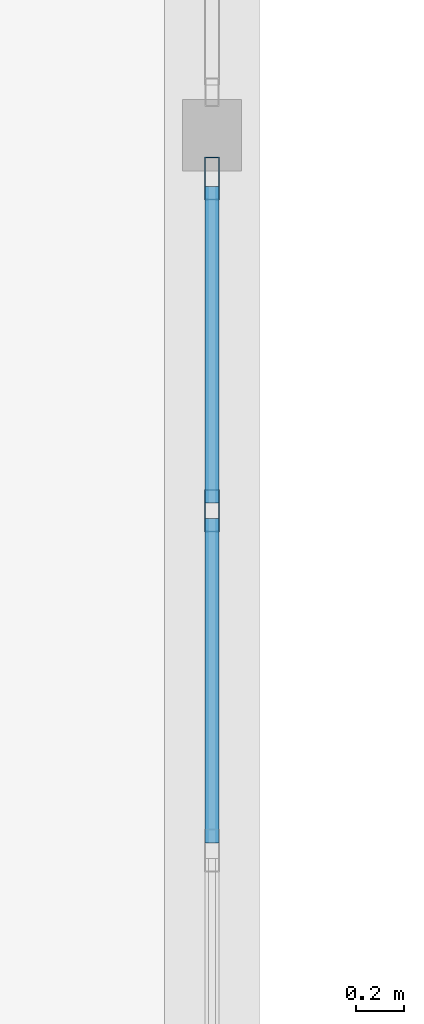
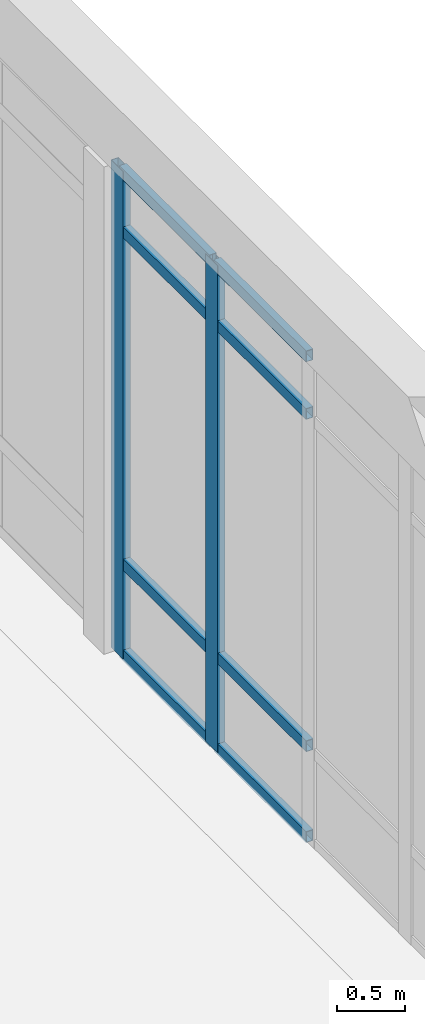
# One storey, part 70 of 138: 10 members, 1 element without a shape of its own.
"""IFC4 building model written with IfcOpenShell, lengths in metres."""

from ifc_helpers import new_model, si_unit, direction, frame, origin, origin_2d, place, context, subcontext, project, spatial, hollow_rectangle, extrude, material, layer, layer_set, material_profile, profile_set, type_object, element, aggregate, save


model = new_model("IFC4")

# Units and contexts
model_context = context("Model", 3, precision=1e-05, world=origin(), true_north=direction((0.0, 1.0)))
body_context = subcontext(model_context, "Body", "Model", "MODEL_VIEW")
ifc_project = project(units=[si_unit("LENGTHUNIT", "METRE"), si_unit("AREAUNIT", "SQUARE_METRE"), si_unit("VOLUMEUNIT", "CUBIC_METRE"), si_unit("PLANEANGLEUNIT", "RADIAN"), si_unit("MASSUNIT", "GRAM", prefix="KILO")], contexts=[model_context])

# Site, building, storey
site_placement = place(None, origin())
site = spatial("IfcSite", under=ifc_project, at=site_placement, CompositionType="ELEMENT")
building_placement = place(site_placement, origin())
building = spatial("IfcBuilding", under=site, at=building_placement, Name="Fikremerkos Civic Library", CompositionType="ELEMENT")
storey_placement = place(building_placement, origin())
storey = spatial("IfcBuildingStorey", under=building, at=storey_placement, Name="L00", CompositionType="ELEMENT", Elevation=0.0)

# Curtain wall, members
ifc_material = material(Name="Anodized aluminium Frame", Category="aluminium")
ifc_layer = layer(ifc_material, 0.159912109375, Name="Anodized aluminium Frame")
ifc_layer_set = layer_set([ifc_layer], Name="Anodized aluminium Frame")
curtain_wall_type = type_object("IfcCurtainWallType", Name="Unitised curtain wall CW-13 3700x3200", PredefinedType="USERDEFINED", material=ifc_layer_set)
curtain_wall_placement = place(storey_placement, origin())
curtain_wall = element("IfcCurtainWall", 1, at=curtain_wall_placement, inside=storey, type_object=curtain_wall_type, Name="Unitised curtain wall CW-13 L00 #67", ObjectType="UNITISED CURTAIN WALL", PredefinedType="USERDEFINED")
ifc_material_profile_1 = material_profile(ifc_material, hollow_rectangle(XDim=0.06494140625, YDim=0.179931640625, WallThickness=0.00439453125, at=origin_2d()), Name="ALU 180x65x4.5")
ifc_profile_set_1 = profile_set([ifc_material_profile_1], Name="Anodized aluminium Frame")
member_type_1 = type_object("IfcMemberType", Name="Curtain mullion CWM-01 ALU 180x65x4.5", PredefinedType="MULLION", material=ifc_profile_set_1)
member_1_placement = place(storey_placement, frame((147.199951171875, 63.9833984375, 0.0), z_axis=(0.0, 0.0, 1.0), x_axis=(1.0, 0.0, 0.0)))
member_1 = element("IfcMember", 2, at=member_1_placement, type_object=member_type_1, Name="CW-13 mullion 1", PredefinedType="MULLION", context=body_context, shape_type="SweptSolid", body=[
    extrude(hollow_rectangle(XDim=0.06494140625, YDim=0.179931640625, WallThickness=0.00439453125, at=origin_2d()), origin(), (0.0, 0.0, 1.0), 4.39990234375),
])
member_2_placement = place(storey_placement, frame((147.199951171875, 62.58642578125, 0.0), z_axis=(0.0, 0.0, 1.0), x_axis=(1.0, 0.0, 0.0)))
member_2 = element("IfcMember", 3, at=member_2_placement, type_object=member_type_1, Name="CW-13 mullion 2", PredefinedType="MULLION", context=body_context, shape_type="SweptSolid", body=[
    extrude(hollow_rectangle(XDim=0.06494140625, YDim=0.179931640625, WallThickness=0.00439453125, at=origin_2d()), origin(), (0.0, 0.0, 1.0), 4.39990234375),
])
ifc_material_profile_2 = material_profile(ifc_material, hollow_rectangle(XDim=0.06005859375, YDim=0.10009765625, WallThickness=0.00390625, at=origin_2d()), Name="ALU 100x60x4")
ifc_profile_set_2 = profile_set([ifc_material_profile_2], Name="Anodized aluminium Frame")
member_type_2 = type_object("IfcMemberType", Name="Curtain transom CWT-03 ALU 100x60x4", PredefinedType="USERDEFINED", material=ifc_profile_set_2)
member_3_placement = place(storey_placement, frame((147.199951171875, 63.950927734375, 0.030029296875), z_axis=(0.0, -1.0, 0.0), x_axis=(1.0, 0.0, 0.0)))
member_3 = element("IfcMember", 4, at=member_3_placement, type_object=member_type_2, Name="CW-13 transom 1.1", ObjectType="TRANSOM", PredefinedType="USERDEFINED", context=body_context, shape_type="SweptSolid", body=[
    extrude(hollow_rectangle(XDim=0.06005859375, YDim=0.10009765625, WallThickness=0.00390625, at=origin_2d()), origin(), (0.0, 0.0, 1.0), 1.33203125),
])
member_4_placement = place(storey_placement, frame((147.199951171875, 63.950927734375, 0.85009765625), z_axis=(0.0, -1.0, 0.0), x_axis=(1.0, 0.0, 0.0)))
member_4 = element("IfcMember", 5, at=member_4_placement, type_object=member_type_2, Name="CW-13 transom 1.2", ObjectType="TRANSOM", PredefinedType="USERDEFINED", context=body_context, shape_type="SweptSolid", body=[
    extrude(hollow_rectangle(XDim=0.06005859375, YDim=0.10009765625, WallThickness=0.00390625, at=origin_2d()), origin(), (0.0, 0.0, 1.0), 1.33203125),
])
member_5_placement = place(storey_placement, frame((147.199951171875, 63.950927734375, 3.85009765625), z_axis=(0.0, -1.0, 0.0), x_axis=(1.0, 0.0, 0.0)))
member_5 = element("IfcMember", 6, at=member_5_placement, type_object=member_type_2, Name="CW-13 transom 1.3", ObjectType="TRANSOM", PredefinedType="USERDEFINED", context=body_context, shape_type="SweptSolid", body=[
    extrude(hollow_rectangle(XDim=0.06005859375, YDim=0.10009765625, WallThickness=0.00390625, at=origin_2d()), origin(), (0.0, 0.0, 1.0), 1.33203125),
])
member_6_placement = place(storey_placement, frame((147.199951171875, 63.950927734375, 4.3701171875), z_axis=(0.0, -1.0, 0.0), x_axis=(1.0, 0.0, 0.0)))
member_6 = element("IfcMember", 7, at=member_6_placement, type_object=member_type_2, Name="CW-13 transom 1.4", ObjectType="TRANSOM", PredefinedType="USERDEFINED", context=body_context, shape_type="SweptSolid", body=[
    extrude(hollow_rectangle(XDim=0.06005859375, YDim=0.10009765625, WallThickness=0.00390625, at=origin_2d()), origin(), (0.0, 0.0, 1.0), 1.33203125),
])
member_7_placement = place(storey_placement, frame((147.199951171875, 62.553955078125, 0.030029296875), z_axis=(0.0, -1.0, 0.0), x_axis=(1.0, 0.0, 0.0)))
member_7 = element("IfcMember", 8, at=member_7_placement, type_object=member_type_2, Name="CW-13 transom 2.1", ObjectType="TRANSOM", PredefinedType="USERDEFINED", context=body_context, shape_type="SweptSolid", body=[
    extrude(hollow_rectangle(XDim=0.06005859375, YDim=0.10009765625, WallThickness=0.00390625, at=origin_2d()), origin(), (0.0, 0.0, 1.0), 1.364501953125),
])
member_8_placement = place(storey_placement, frame((147.199951171875, 62.553955078125, 0.85009765625), z_axis=(0.0, -1.0, 0.0), x_axis=(1.0, 0.0, 0.0)))
member_8 = element("IfcMember", 9, at=member_8_placement, type_object=member_type_2, Name="CW-13 transom 2.2", ObjectType="TRANSOM", PredefinedType="USERDEFINED", context=body_context, shape_type="SweptSolid", body=[
    extrude(hollow_rectangle(XDim=0.06005859375, YDim=0.10009765625, WallThickness=0.00390625, at=origin_2d()), origin(), (0.0, 0.0, 1.0), 1.364501953125),
])
member_9_placement = place(storey_placement, frame((147.199951171875, 62.553955078125, 3.85009765625), z_axis=(0.0, -1.0, 0.0), x_axis=(1.0, 0.0, 0.0)))
member_9 = element("IfcMember", 10, at=member_9_placement, type_object=member_type_2, Name="CW-13 transom 2.3", ObjectType="TRANSOM", PredefinedType="USERDEFINED", context=body_context, shape_type="SweptSolid", body=[
    extrude(hollow_rectangle(XDim=0.06005859375, YDim=0.10009765625, WallThickness=0.00390625, at=origin_2d()), origin(), (0.0, 0.0, 1.0), 1.364501953125),
])
member_10_placement = place(storey_placement, frame((147.199951171875, 62.553955078125, 4.3701171875), z_axis=(0.0, -1.0, 0.0), x_axis=(1.0, 0.0, 0.0)))
member_10 = element("IfcMember", 11, at=member_10_placement, type_object=member_type_2, Name="CW-13 transom 2.4", ObjectType="TRANSOM", PredefinedType="USERDEFINED", context=body_context, shape_type="SweptSolid", body=[
    extrude(hollow_rectangle(XDim=0.06005859375, YDim=0.10009765625, WallThickness=0.00390625, at=origin_2d()), origin(), (0.0, 0.0, 1.0), 1.364501953125),
])
aggregate(curtain_wall, [member_1, member_2, member_3, member_4, member_5, member_6, member_7, member_8, member_9, member_10])

save(model, "model.ifc")
